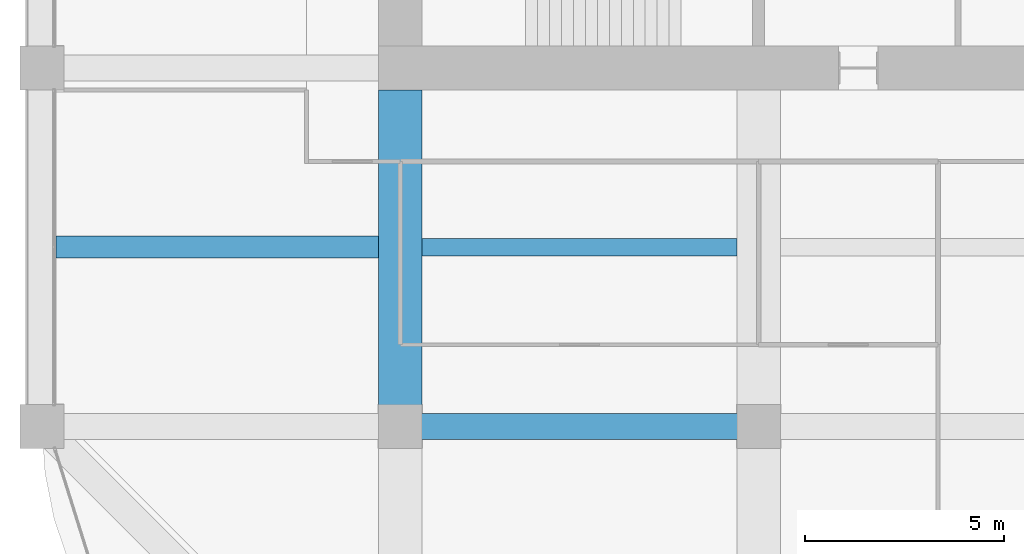
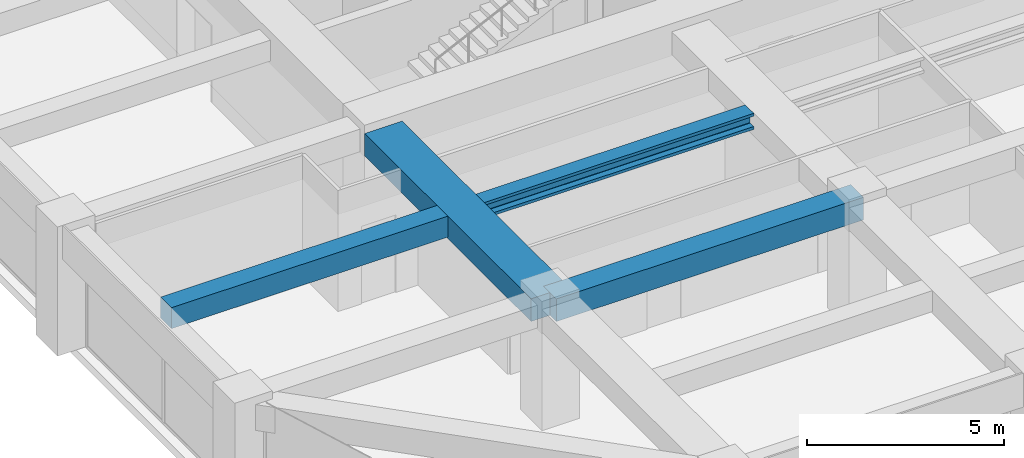
# One storey, part 8 of 44: 4 beams.
"""IFC4 building model written with IfcOpenShell, lengths in metres."""

from ifc_helpers import new_model, si_unit, direction, frame, origin, origin_2d, place, context, subcontext, project, spatial, rectangle, i_section, extrude, material, material_profile, profile_set, type_object, element, save


model = new_model("IFC4")

# Units and contexts
model_context = context("Model", 3, precision=1e-05, world=origin(), true_north=direction((0.0, 1.0)))
body_context = subcontext(model_context, "Body", "Model", "MODEL_VIEW")
ifc_project = project(units=[si_unit("LENGTHUNIT", "METRE"), si_unit("AREAUNIT", "SQUARE_METRE"), si_unit("VOLUMEUNIT", "CUBIC_METRE"), si_unit("PLANEANGLEUNIT", "RADIAN"), si_unit("MASSUNIT", "GRAM", prefix="KILO")], contexts=[model_context])

# Site, building, storey
site_placement = place(None, origin())
site = spatial("IfcSite", under=ifc_project, at=site_placement, CompositionType="ELEMENT")
building_placement = place(site_placement, origin())
building = spatial("IfcBuilding", under=site, at=building_placement, Name="Zorevar Civic Tower", CompositionType="ELEMENT")
storey_placement = place(building_placement, frame((0.0, 0.0, 255.39990234375)))
storey = spatial("IfcBuildingStorey", under=building, at=storey_placement, Name="L62", CompositionType="ELEMENT", Elevation=255.39990234375)

# Beams
ifc_material_1 = material(Name="Concrete C50/60", Category="concrete")
ifc_material_profile_1 = material_profile(ifc_material_1, rectangle(XDim=1.10009765625, YDim=0.699951171875, at=origin_2d()), Name="RC 1100x700")
ifc_profile_set_1 = profile_set([ifc_material_profile_1], Name="Concrete C50/60")
beam_type_1 = type_object("IfcBeamType", Name="Beam RC 1100x700", PredefinedType="BEAM", material=ifc_profile_set_1)
beam_1_placement = place(storey_placement, frame((18.0, 9.0, 3.400146484375), z_axis=(0.0, 1.0, 0.0), x_axis=(-1.0, 0.0, 0.0)))
element("IfcBeam", 1, at=beam_1_placement, inside=storey, type_object=beam_type_1, Name="Girder L63", PredefinedType="BEAM", context=body_context, shape_type="SweptSolid", body=[
    extrude(rectangle(XDim=1.10009765625, YDim=0.699951171875, at=origin_2d()), origin(), (0.0, 0.0, 1.0), 8.449951171875),
])
ifc_material_2 = material(Name="Concrete C50/60", Category="concrete")
ifc_material_profile_2 = material_profile(ifc_material_2, rectangle(XDim=0.550048828125, YDim=0.64990234375, at=origin_2d()), Name="RC 550x650")
ifc_profile_set_2 = profile_set([ifc_material_profile_2], Name="Concrete C50/60")
beam_type_2 = type_object("IfcBeamType", Name="Beam RC 550x650", PredefinedType="BEAM", material=ifc_profile_set_2)
beam_2_placement = place(storey_placement, frame((9.35009765625, 13.5, 3.425048828125), z_axis=(1.0, 0.0, 0.0), x_axis=(0.0, 1.0, 0.0)))
element("IfcBeam", 2, at=beam_2_placement, inside=storey, type_object=beam_type_2, Name="Secondary beam L63", PredefinedType="BEAM", context=body_context, shape_type="SweptSolid", body=[
    extrude(rectangle(XDim=0.550048828125, YDim=0.64990234375, at=origin_2d()), origin(), (0.0, 0.0, 1.0), 8.099853515625),
])
ifc_material_3 = material(Name="Concrete C50/60", Category="concrete")
ifc_material_profile_3 = material_profile(ifc_material_3, rectangle(XDim=0.64990234375, YDim=0.699951171875, at=origin_2d()), Name="RC 650x700")
ifc_profile_set_3 = profile_set([ifc_material_profile_3], Name="Concrete C50/60")
beam_type_3 = type_object("IfcBeamType", Name="Beam RC 650x700", PredefinedType="BEAM", material=ifc_profile_set_3)
beam_3_placement = place(storey_placement, frame((18.0, 9.0, 3.400146484375), z_axis=(1.0, 0.0, 0.0), x_axis=(0.0, 1.0, 0.0)))
element("IfcBeam", 3, at=beam_3_placement, inside=storey, type_object=beam_type_3, Name="Girder L63", PredefinedType="BEAM", context=body_context, shape_type="SweptSolid", body=[
    extrude(rectangle(XDim=0.64990234375, YDim=0.699951171875, at=origin_2d()), origin(), (0.0, 0.0, 1.0), 9.0),
])
ifc_material_4 = material(Name="Steel S460M (HISTAR 460)", Category="steel")
ifc_material_profile_4 = material_profile(ifc_material_4, i_section(OverallWidth=0.431884765625, OverallDepth=0.498046875, WebThickness=0.0556640625, FlangeThickness=0.0888671875, FilletRadius=0.014892578125, at=origin_2d()), Name="HD 400x744")
ifc_profile_set_4 = profile_set([ifc_material_profile_4], Name="Steel S460M (HISTAR 460)")
beam_type_4 = type_object("IfcBeamType", Name="Core bay beam HD 400x744", PredefinedType="BEAM", material=ifc_profile_set_4)
beam_4_placement = place(storey_placement, frame((18.550048828125, 13.5, 3.5009765625), z_axis=(1.0, 0.0, 0.0), x_axis=(0.0, 1.0, 0.0)))
element("IfcBeam", 4, at=beam_4_placement, inside=storey, type_object=beam_type_4, Name="Secondary beam L63", PredefinedType="BEAM", context=body_context, shape_type="SweptSolid", body=[
    extrude(i_section(OverallWidth=0.431884765625, OverallDepth=0.498046875, WebThickness=0.0556640625, FlangeThickness=0.0888671875, FilletRadius=0.014892578125, at=origin_2d()), origin(), (0.0, 0.0, 1.0), 7.89990234375),
])

save(model, "model.ifc")
